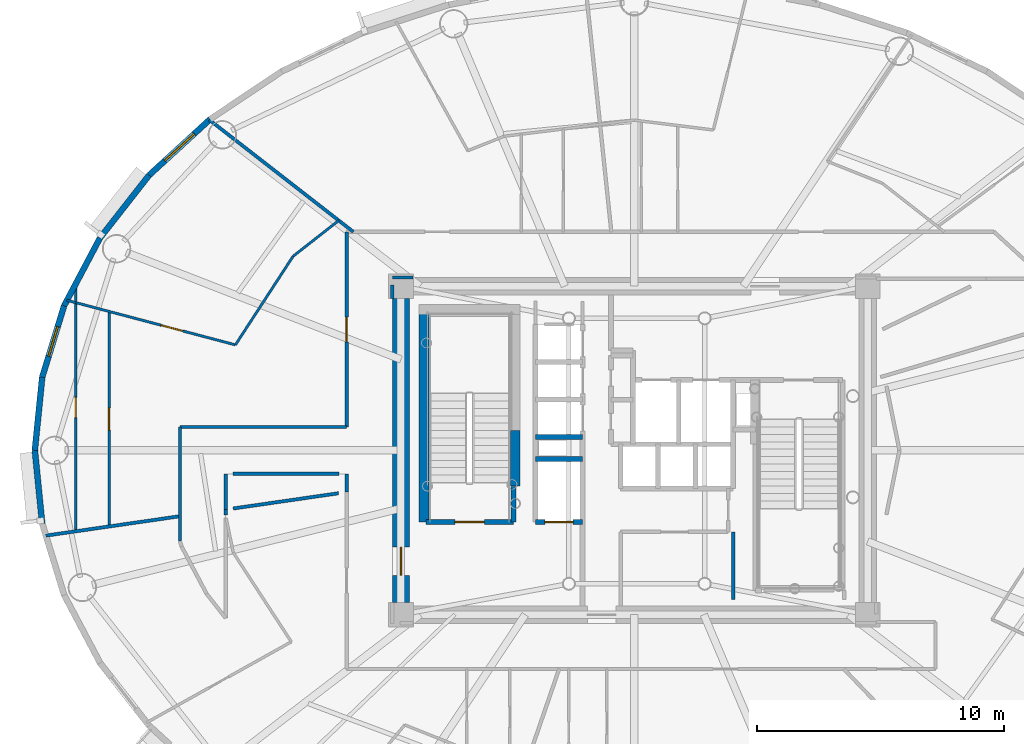
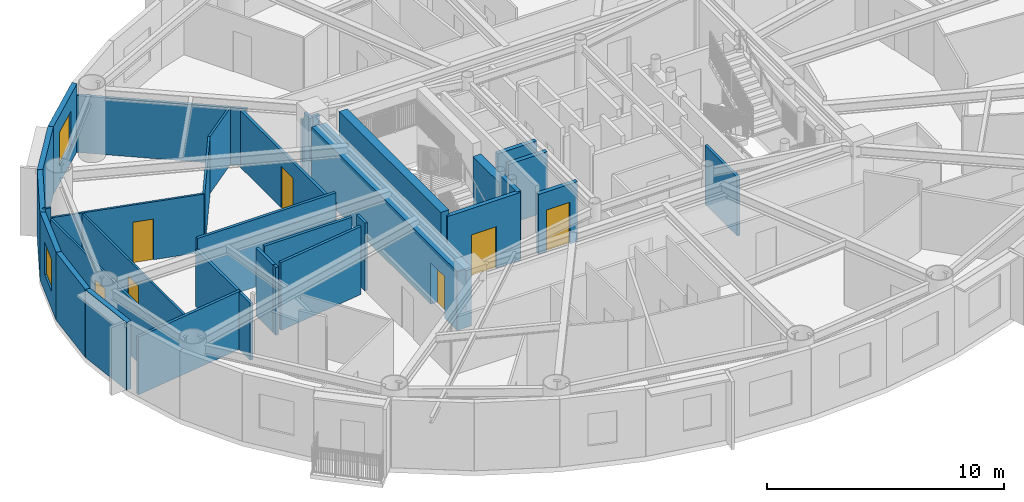
# One storey, part 7 of 18: 33 walls, 7 doors, 2 windows, 9 openings.
"""IFC4 building model written with IfcOpenShell, lengths in metres."""

from ifc_helpers import new_model, si_unit, direction, frame, frame_2d, origin, origin_2d, place, context, subcontext, project, spatial, rectangle, extrude, source, transform, mapped, material, layer, layer_set, type_object, element, fill, save


model = new_model("IFC4")

# Units and contexts
model_context = context("Model", 3, precision=1e-05, world=origin(), true_north=direction((0.0, 1.0)))
body_context = subcontext(model_context, "Body", "Model", "MODEL_VIEW")
ifc_project = project(units=[si_unit("LENGTHUNIT", "METRE"), si_unit("AREAUNIT", "SQUARE_METRE"), si_unit("VOLUMEUNIT", "CUBIC_METRE"), si_unit("PLANEANGLEUNIT", "RADIAN"), si_unit("MASSUNIT", "GRAM", prefix="KILO")], contexts=[model_context])

# Site, building, storey
site_placement = place(None, origin())
site = spatial("IfcSite", under=ifc_project, at=site_placement, CompositionType="ELEMENT")
building_placement = place(site_placement, origin())
building = spatial("IfcBuilding", under=site, at=building_placement, Name="Linh Dai School and Residence Tower", CompositionType="ELEMENT")
storey_placement = place(building_placement, frame((0.0, 0.0, 240.300048828125)))
storey = spatial("IfcBuildingStorey", under=building, at=storey_placement, Name="L59", CompositionType="ELEMENT", Elevation=240.300048828125)

# Wall, opening, window
ifc_material_1 = material(Name="Precast Concrete B45 (C35/45)", Category="concrete")
ifc_layer_1 = layer(ifc_material_1, 0.239990234375)
ifc_layer_set_1 = layer_set([ifc_layer_1], Name="Precast Concrete B45 (C35/45)")
wall_type_1 = type_object("IfcWallType", Name="EW-TC-240", PredefinedType="SOLIDWALL", material=ifc_layer_set_1)
wall_1_placement = place(storey_placement, frame((16.3515625, 38.14453125, 0.0), z_axis=(0.0, 0.0, 1.0), x_axis=(0.737123922599, 0.675757591694, 0.0)))
wall_1 = element("IfcWall", 1, at=wall_1_placement, inside=storey, type_object=wall_type_1, Name="L59 Terracotta Exterior Wall 16", PredefinedType="SOLIDWALL", context=body_context, shape_type="SweptSolid", body=[
    extrude(rectangle(XDim=3.353759765625, YDim=0.239990234375, at=frame_2d((1.6767578125, 0.0))), origin(), (0.0, 0.0, 1.0), 3.5),
])
opening_1_placement = place(wall_1_placement, frame((0.87255859375, 0.0, 0.89990234375)))
opening_1 = element("IfcOpeningElement", 2, at=opening_1_placement, cuts=wall_1, Name="Opening W2", PredefinedType="OPENING", context=body_context, shape_type="SweptSolid", body=[
    extrude(rectangle(XDim=1.60009765625, YDim=1.75, at=origin_2d()), frame((0.800048828125, 0.1298828125, 0.875), z_axis=(0.0, -1.0, 0.0), x_axis=(1.0, 0.0, 0.0)), (0.0, 0.0, 1.0), 0.260009765625),
])
ifc_material_2 = material(Name="Double Low-E Insulated Glazing", Category="glass")
window_type_1 = type_object("IfcWindowType", Name="WN-RES-1600x1750", PartitioningType="DOUBLE_PANEL_VERTICAL", PredefinedType="WINDOW", material=ifc_material_2)
shared_shape_1 = source(origin(), body_context, "Body", "SweptSolid", [
    extrude(rectangle(XDim=1.60009765625, YDim=1.75, at=origin_2d()), frame((0.800048828125, 0.030029296875, 0.875), z_axis=(0.0, -1.0, 0.0), x_axis=(1.0, 0.0, 0.0)), (0.0, 0.0, 1.0), 0.06005859375),
])
window_1_placement = place(opening_1_placement, origin())
window_1 = element("IfcWindow", 3, at=window_1_placement, inside=storey, type_object=window_type_1, Name="L59 Exterior Window 16.1", OverallHeight=1.75, OverallWidth=1.60009765625, PartitioningType="DOUBLE_PANEL_VERTICAL", PredefinedType="WINDOW", context=body_context, shape_type="MappedRepresentation", body=[
    mapped(shared_shape_1, transform((0.0, 0.0, 0.0), x_axis=(1.0, 0.0, 0.0), y_axis=(0.0, 1.0, 0.0), z_axis=(0.0, 0.0, 1.0), scale=1.0)),
])
fill(opening_1, window_1)

# Walls
wall_2_placement = place(storey_placement, frame((14.3642578125, 35.605224609375, 0.0), z_axis=(0.0, 0.0, 1.0), x_axis=(0.616312344705, 0.787501805562, 0.0)))
element("IfcWall", 4, at=wall_2_placement, inside=storey, type_object=wall_type_1, Name="L59 Terracotta Exterior Wall 17", PredefinedType="SOLIDWALL", context=body_context, shape_type="SweptSolid", body=[
    extrude(rectangle(XDim=3.224609375, YDim=0.239990234375, at=frame_2d((1.6123046875, 0.0))), origin(), (0.0, 0.0, 1.0), 3.5),
])
wall_3_placement = place(storey_placement, frame((12.90966796875, 32.85595703125, 0.0), z_axis=(0.0, 0.0, 1.0), x_axis=(0.46766049993, 0.883908172157, 0.0)))
element("IfcWall", 5, at=wall_3_placement, inside=storey, type_object=wall_type_1, Name="L59 Terracotta Exterior Wall 18", PredefinedType="SOLIDWALL", context=body_context, shape_type="SweptSolid", body=[
    extrude(rectangle(XDim=3.1103515625, YDim=0.239990234375, at=frame_2d((1.55517578125, 0.0))), origin(), (0.0, 0.0, 1.0), 3.5),
])

# Wall, opening, window
wall_4_placement = place(storey_placement, frame((12.02294921875, 29.9638671875, 0.0), z_axis=(0.0, 0.0, 1.0), x_axis=(0.293132907334, 0.95607170162, 0.0)))
wall_4 = element("IfcWall", 6, at=wall_4_placement, inside=storey, type_object=wall_type_1, Name="L59 Terracotta Exterior Wall 19", PredefinedType="SOLIDWALL", context=body_context, shape_type="SweptSolid", body=[
    extrude(rectangle(XDim=3.02490234375, YDim=0.239990234375, at=frame_2d((1.512451171875, 0.0))), origin(), (0.0, 0.0, 1.0), 3.5),
])
opening_2_placement = place(wall_4_placement, frame((0.887451171875, 0.0, 0.89990234375)))
opening_2 = element("IfcOpeningElement", 7, at=opening_2_placement, cuts=wall_4, Name="Opening W3", PredefinedType="OPENING", context=body_context, shape_type="SweptSolid", body=[
    extrude(rectangle(XDim=1.25, YDim=1.64990234375, at=origin_2d()), frame((0.625, 0.1298828125, 0.824951171875), z_axis=(0.0, -1.0, 0.0), x_axis=(1.0, 0.0, 0.0)), (0.0, 0.0, 1.0), 0.260009765625),
])
window_type_2 = type_object("IfcWindowType", Name="WN-RES-1250x1650", PartitioningType="SINGLE_PANEL", PredefinedType="WINDOW", material=ifc_material_2)
shared_shape_2 = source(origin(), body_context, "Body", "SweptSolid", [
    extrude(rectangle(XDim=1.25, YDim=1.64990234375, at=origin_2d()), frame((0.625, 0.030029296875, 0.824951171875), z_axis=(0.0, -1.0, 0.0), x_axis=(1.0, 0.0, 0.0)), (0.0, 0.0, 1.0), 0.06005859375),
])
window_2_placement = place(opening_2_placement, origin())
window_2 = element("IfcWindow", 8, at=window_2_placement, inside=storey, type_object=window_type_2, Name="L59 Exterior Window 19.1", OverallHeight=1.64990234375, OverallWidth=1.25, PartitioningType="SINGLE_PANEL", PredefinedType="WINDOW", context=body_context, shape_type="MappedRepresentation", body=[
    mapped(shared_shape_2, transform((0.0, 0.0, 0.0), x_axis=(1.0, 0.0, 0.0), y_axis=(0.0, 1.0, 0.0), z_axis=(0.0, 0.0, 1.0), scale=1.0)),
])
fill(opening_2, window_2)

# Walls
for number, where, z_axis, x_axis, name in (
    (9, (11.72509765625, 27.0, 0.0), (0.0, 0.0, 1.0), (0.099990595253, 0.994988382274, 0.0), "L59 Terracotta Exterior Wall 20"),
    (10, (12.02294921875, 24.0361328125, 0.0), (0.0, 0.0, 1.0), (-0.099990595253, 0.994988382274, 0.0), "L59 Terracotta Exterior Wall 21"),
):
    element("IfcWall", number, at=place(storey_placement, frame(where, z_axis=z_axis, x_axis=x_axis)), inside=storey, type_object=wall_type_1, Name=name, PredefinedType="SOLIDWALL", context=body_context, shape_type="SweptSolid", body=[
        extrude(rectangle(XDim=2.978759765625, YDim=0.239990234375, at=frame_2d((1.4892578125, 0.0))), origin(), (0.0, 0.0, 1.0), 3.5),
    ])
ifc_material_3 = material(Name="Autoclaved Aerated Concrete Blockwork", Category="masonry")
ifc_layer_2 = layer(ifc_material_3, 0.135009765625)
ifc_layer_set_2 = layer_set([ifc_layer_2], Name="Autoclaved Aerated Concrete Blockwork")
wall_type_2 = type_object("IfcWallType", Name="IW-CORR-135-EI90", PredefinedType="PARTITIONING", material=ifc_layer_set_2)
wall_5_placement = place(storey_placement, frame((12.16748046875, 23.5478515625, 0.0), z_axis=(0.0, 0.0, 1.0), x_axis=(0.989672764262, 0.143345106921, 0.0)))
element("IfcWall", 11, at=wall_5_placement, inside=storey, type_object=wall_type_2, Name="L59 Interior Partition Wall 001", PredefinedType="PARTITIONING", context=body_context, shape_type="SweptSolid", body=[
    extrude(rectangle(XDim=5.4892578125, YDim=0.135009765625, at=frame_2d((2.74462890625, 0.0))), origin(), (0.0, 0.0, 1.0), 2.98486328125),
])
wall_6_placement = place(storey_placement, frame((17.60009765625, 23.327880859375, 0.0), z_axis=(0.0, 0.0, 1.0), x_axis=(0.0, 1.0, 0.0)))
element("IfcWall", 12, at=wall_6_placement, inside=storey, type_object=wall_type_2, Name="L59 Interior Partition Wall 007", PredefinedType="PARTITIONING", context=body_context, shape_type="SweptSolid", body=[
    extrude(rectangle(XDim=4.6220703125, YDim=0.135009765625, at=frame_2d((2.31103515625, 0.0))), origin(), (0.0, 0.0, 1.0), 2.93505859375),
])
wall_7_placement = place(storey_placement, frame((17.60009765625, 27.949951171875, 0.0), z_axis=(0.0, 0.0, 1.0), x_axis=(1.0, 0.0, 0.0)))
element("IfcWall", 13, at=wall_7_placement, inside=storey, type_object=wall_type_2, Name="L59 Interior Partition Wall 009", PredefinedType="PARTITIONING", context=body_context, shape_type="SweptSolid", body=[
    extrude(rectangle(XDim=6.75, YDim=0.135009765625, at=frame_2d((3.375, 0.0))), origin(), (0.0, 0.0, 1.0), 3.5),
])
wall_8_placement = place(storey_placement, frame((18.79052734375, 40.38720703125, 0.0), z_axis=(0.0, 0.0, 1.0), x_axis=(0.789302404173, -0.614004653701, 0.0)))
element("IfcWall", 14, at=wall_8_placement, inside=storey, type_object=wall_type_2, Name="L59 Interior Partition Wall 012", PredefinedType="PARTITIONING", context=body_context, shape_type="SweptSolid", body=[
    extrude(rectangle(XDim=7.389892578125, YDim=0.135009765625, at=frame_2d((3.69482421875, 0.0))), origin(), (0.0, 0.0, 1.0), 2.93505859375),
])
wall_9_placement = place(storey_placement, frame((19.449951171875, 24.3798828125, 0.0), z_axis=(0.0, 0.0, 1.0), x_axis=(0.0, 1.0, 0.0)))
element("IfcWall", 15, at=wall_9_placement, inside=storey, type_object=wall_type_2, Name="L59 Interior Partition Wall 014", PredefinedType="PARTITIONING", context=body_context, shape_type="SweptSolid", body=[
    extrude(rectangle(XDim=0.222900390625, YDim=0.135009765625, at=frame_2d((0.111328125, 0.0))), origin(), (0.0, 0.0, 1.0), 3.5),
])

# Wall, opening, door
wall_10_placement = place(storey_placement, frame((24.35009765625, 27.949951171875, 0.0), z_axis=(0.0, 0.0, 1.0), x_axis=(0.0, 1.0, 0.0)))
wall_10 = element("IfcWall", 16, at=wall_10_placement, inside=storey, type_object=wall_type_2, Name="L59 Interior Partition Wall 022", PredefinedType="PARTITIONING", context=body_context, shape_type="SweptSolid", body=[
    extrude(rectangle(XDim=7.900146484375, YDim=0.135009765625, at=frame_2d((3.9501953125, 0.0))), origin(), (0.0, 0.0, 1.0), 2.93505859375),
])
opening_3_placement = place(wall_10_placement, frame((3.449951171875, 0.0, 0.0)))
opening_3 = element("IfcOpeningElement", 17, at=opening_3_placement, cuts=wall_10, Name="Opening D03", PredefinedType="OPENING", context=body_context, shape_type="SweptSolid", body=[
    extrude(rectangle(XDim=1.0, YDim=2.14990234375, at=origin_2d()), frame((0.5, 0.07763671875, 1.074951171875), z_axis=(0.0, -1.0, 0.0), x_axis=(1.0, 0.0, 0.0)), (0.0, 0.0, 1.0), 0.155029296875),
])
ifc_material_4 = material(Name="Fire-Rated Solid Timber Entrance Door", Category="wood")
door_type_1 = type_object("IfcDoorType", Name="DR-FLAT-1000x2150-FD60S", OperationType="NOTDEFINED", PredefinedType="DOOR", material=ifc_material_4)
shared_shape_3 = source(origin(), body_context, "Body", "SweptSolid", [
    extrude(rectangle(XDim=1.0, YDim=2.14990234375, at=origin_2d()), frame((0.5, 0.02490234375, 1.074951171875), z_axis=(0.0, -1.0, 0.0), x_axis=(1.0, 0.0, 0.0)), (0.0, 0.0, 1.0), 0.050048828125),
])
door_1_placement = place(opening_3_placement, origin())
door_1 = element("IfcDoor", 18, at=door_1_placement, inside=storey, type_object=door_type_1, Name="L59 U5902 Apartment Entrance Door", OperationType="SINGLE_SWING_RIGHT", OverallHeight=2.14990234375, OverallWidth=1.0, PredefinedType="DOOR", context=body_context, shape_type="MappedRepresentation", body=[
    mapped(shared_shape_3, transform((0.0, 0.0, 0.0), x_axis=(1.0, 0.0, 0.0), y_axis=(0.0, 1.0, 0.0), z_axis=(0.0, 0.0, 1.0), scale=1.0)),
])
fill(opening_3, door_1)

# Walls
wall_11_placement = place(storey_placement, frame((40.0, 23.699951171875, 0.0), z_axis=(0.0, 0.0, 1.0), x_axis=(0.0, -1.0, 0.0)))
element("IfcWall", 19, at=wall_11_placement, inside=storey, type_object=wall_type_2, Name="L59 Interior Partition Wall 099", PredefinedType="PARTITIONING", context=body_context, shape_type="SweptSolid", body=[
    extrude(rectangle(XDim=2.739990234375, YDim=0.135009765625, at=frame_2d((1.3701171875, 0.0))), origin(), (0.0, 0.0, 1.0), 3.034912109375),
])
wall_12_placement = place(storey_placement, frame((19.449951171875, 26.050048828125, 0.0), z_axis=(0.0, 0.0, 1.0), x_axis=(0.0, -1.0, 0.0)))
element("IfcWall", 20, at=wall_12_placement, inside=storey, type_object=wall_type_2, Name="L59 Interior Partition Wall 103", PredefinedType="PARTITIONING", context=body_context, shape_type="SweptSolid", body=[
    extrude(rectangle(XDim=1.437255859375, YDim=0.135009765625, at=frame_2d((0.71875, 0.0))), origin(), (0.0, 0.0, 1.0), 3.5),
])
wall_13_placement = place(storey_placement, frame((27.0400390625, 34.0, 0.0), z_axis=(0.0, 0.0, 1.0), x_axis=(-1.0, 0.0, 0.0)))
element("IfcWall", 21, at=wall_13_placement, inside=storey, type_object=wall_type_2, Name="L59 Interior Partition Wall 106", PredefinedType="PARTITIONING", context=body_context, shape_type="SweptSolid", body=[
    extrude(rectangle(XDim=0.840087890625, YDim=0.135009765625, at=frame_2d((0.419921875, 0.0))), origin(), (0.0, 0.0, 1.0), 2.93505859375),
])
wall_14_placement = place(storey_placement, frame((26.199951171875, 33.6923828125, 0.0), z_axis=(0.0, 0.0, 1.0), x_axis=(0.0, -1.0, 0.0)))
element("IfcWall", 22, at=wall_14_placement, inside=storey, type_object=wall_type_2, Name="L59 Interior Partition Wall 107", PredefinedType="PARTITIONING", context=body_context, shape_type="SweptSolid", body=[
    extrude(rectangle(XDim=0.532470703125, YDim=0.135009765625, at=frame_2d((0.26611328125, 0.0))), origin(), (0.0, 0.0, 1.0), 3.5),
])
wall_15_placement = place(storey_placement, frame((24.35009765625, 25.322509765625, 0.0), z_axis=(0.0, 0.0, 1.0), x_axis=(0.0, 1.0, 0.0)))
element("IfcWall", 23, at=wall_15_placement, inside=storey, type_object=wall_type_2, Name="L59 Interior Partition Wall 111", PredefinedType="PARTITIONING", context=body_context, shape_type="SweptSolid", body=[
    extrude(rectangle(XDim=0.7275390625, YDim=0.135009765625, at=frame_2d((0.36376953125, 0.0))), origin(), (0.0, 0.0, 1.0), 3.5),
])
wall_16_placement = place(storey_placement, frame((24.04248046875, 26.050048828125, 0.0), z_axis=(0.0, 0.0, 1.0), x_axis=(-1.0, 0.0, 0.0)))
element("IfcWall", 24, at=wall_16_placement, inside=storey, type_object=wall_type_2, Name="L59 Interior Partition Wall 112", PredefinedType="PARTITIONING", context=body_context, shape_type="SweptSolid", body=[
    extrude(rectangle(XDim=4.284912109375, YDim=0.135009765625, at=frame_2d((2.142578125, 0.0))), origin(), (0.0, 0.0, 1.0), 3.5),
])
wall_17_placement = place(storey_placement, frame((19.757568359375, 24.647216796875, 0.0), z_axis=(0.0, 0.0, 1.0), x_axis=(0.989666541967, 0.143388059861, 0.0)))
element("IfcWall", 25, at=wall_17_placement, inside=storey, type_object=wall_type_2, Name="L59 Interior Partition Wall 113", PredefinedType="PARTITIONING", context=body_context, shape_type="SweptSolid", body=[
    extrude(rectangle(XDim=4.309326171875, YDim=0.135009765625, at=frame_2d((2.15478515625, 0.0))), origin(), (0.0, 0.0, 1.0), 3.5),
])

# Wall, opening, door
ifc_material_5 = material(Name="Concrete B45 (C35/45)", Category="concrete")
ifc_layer_3 = layer(ifc_material_5, 0.199951171875)
ifc_layer_set_3 = layer_set([ifc_layer_3], Name="Concrete B45 (C35/45)")
wall_type_3 = type_object("IfcWallType", Name="IW-SHAFT-200-EI120", PredefinedType="PARTITIONING", material=ifc_layer_set_3)
wall_18_placement = place(storey_placement, frame((27.56005859375, 24.10009765625, 0.0), z_axis=(0.0, 0.0, 1.0), x_axis=(1.0, 0.0, 0.0)))
wall_18 = element("IfcWall", 26, at=wall_18_placement, inside=storey, type_object=wall_type_3, Name="L59 Interior Partition Wall 026", PredefinedType="PARTITIONING", context=body_context, shape_type="SweptSolid", body=[
    extrude(rectangle(XDim=3.5400390625, YDim=0.199951171875, at=frame_2d((1.77001953125, 0.0))), origin(), (0.0, 0.0, 1.0), 3.5),
])
opening_4_placement = place(wall_18_placement, frame((1.169921875, 0.0, 0.0)))
opening_4 = element("IfcOpeningElement", 27, at=opening_4_placement, cuts=wall_18, Name="Opening D01", PredefinedType="OPENING", context=body_context, shape_type="SweptSolid", body=[
    extrude(rectangle(XDim=1.199951171875, YDim=2.14990234375, at=origin_2d()), frame((0.60009765625, 0.10986328125, 1.074951171875), z_axis=(0.0, -1.0, 0.0), x_axis=(1.0, 0.0, 0.0)), (0.0, 0.0, 1.0), 0.219970703125),
])
ifc_material_6 = material(Name="Fire-Rated Steel Door Leaf", Category="steel")
door_type_2 = type_object("IfcDoorType", Name="DR-STAIR-1200x2150-FD90S", OperationType="NOTDEFINED", PredefinedType="DOOR", material=ifc_material_6)
shared_shape_4 = source(origin(), body_context, "Body", "SweptSolid", [
    extrude(rectangle(XDim=1.199951171875, YDim=2.14990234375, at=origin_2d()), frame((0.60009765625, 0.02490234375, 1.074951171875), z_axis=(0.0, -1.0, 0.0), x_axis=(1.0, 0.0, 0.0)), (0.0, 0.0, 1.0), 0.050048828125),
])
door_2_placement = place(opening_4_placement, origin())
door_2 = element("IfcDoor", 28, at=door_2_placement, inside=storey, type_object=door_type_2, Name="L59 Core Smokeproof Exit Stair ST1 Door", OperationType="SINGLE_SWING_RIGHT", OverallHeight=2.14990234375, OverallWidth=1.199951171875, PredefinedType="DOOR", context=body_context, shape_type="MappedRepresentation", body=[
    mapped(shared_shape_4, transform((0.0, 0.0, 0.0), x_axis=(1.0, 0.0, 0.0), y_axis=(0.0, 1.0, 0.0), z_axis=(0.0, 0.0, 1.0), scale=1.0)),
])
fill(opening_4, door_2)

# Wall
wall_19_placement = place(storey_placement, frame((31.10009765625, 24.10009765625, 0.0), z_axis=(0.0, 0.0, 1.0), x_axis=(0.0, 1.0, 0.0)))
element("IfcWall", 29, at=wall_19_placement, inside=storey, type_object=wall_type_3, Name="L59 Interior Partition Wall 033", PredefinedType="PARTITIONING", context=body_context, shape_type="SweptSolid", body=[
    extrude(rectangle(XDim=1.43994140625, YDim=0.199951171875, at=frame_2d((0.719970703125, 0.0))), origin(), (0.0, 0.0, 1.0), 3.5),
])

# Wall, opening, door
wall_20_placement = place(storey_placement, frame((32.0, 24.10009765625, 0.0), z_axis=(0.0, 0.0, 1.0), x_axis=(1.0, 0.0, 0.0)))
wall_20 = element("IfcWall", 30, at=wall_20_placement, inside=storey, type_object=wall_type_3, Name="L59 Interior Partition Wall 036", PredefinedType="PARTITIONING", context=body_context, shape_type="SweptSolid", body=[
    extrude(rectangle(XDim=1.89990234375, YDim=0.199951171875, at=frame_2d((0.949951171875, 0.0))), origin(), (0.0, 0.0, 1.0), 3.0849609375),
])
opening_5_placement = place(wall_20_placement, frame((0.375, 0.0, 0.0)))
opening_5 = element("IfcOpeningElement", 31, at=opening_5_placement, cuts=wall_20, Name="Opening LD-FF2", PredefinedType="OPENING", context=body_context, shape_type="SweptSolid", body=[
    extrude(rectangle(XDim=1.14990234375, YDim=2.14990234375, at=origin_2d()), frame((0.574951171875, 0.10986328125, 1.074951171875), z_axis=(0.0, -1.0, 0.0), x_axis=(1.0, 0.0, 0.0)), (0.0, 0.0, 1.0), 0.219970703125),
])
ifc_material_7 = material(Name="Fire-Rated Stainless Steel Firefighting Lift Door", Category="steel")
door_type_3 = type_object("IfcDoorType", Name="DR-LD-FF-1150x2150-FD120", OperationType="DOUBLE_DOOR_SLIDING", PredefinedType="USERDEFINED", material=ifc_material_7)
shared_shape_5 = source(origin(), body_context, "Body", "SweptSolid", [
    extrude(rectangle(XDim=1.14990234375, YDim=2.14990234375, at=origin_2d()), frame((0.574951171875, 0.02490234375, 1.074951171875), z_axis=(0.0, -1.0, 0.0), x_axis=(1.0, 0.0, 0.0)), (0.0, 0.0, 1.0), 0.050048828125),
])
door_3_placement = place(opening_5_placement, origin())
door_3 = element("IfcDoor", 32, at=door_3_placement, inside=storey, type_object=door_type_3, Name="L59 Lift FF2 Sliding Landing Door", ObjectType="LANDING DOOR", OperationType="DOUBLE_DOOR_SLIDING", OverallHeight=2.14990234375, OverallWidth=1.14990234375, PredefinedType="USERDEFINED", context=body_context, shape_type="MappedRepresentation", body=[
    mapped(shared_shape_5, transform((0.0, 0.0, 0.0), x_axis=(1.0, 0.0, 0.0), y_axis=(0.0, 1.0, 0.0), z_axis=(0.0, 0.0, 1.0), scale=1.0)),
])
fill(opening_5, door_3)

# Walls
for number, where, z_axis, x_axis, name in (
    (33, (32.0, 26.64990234375, 0.0), (0.0, 0.0, 1.0), (1.0, 0.0, 0.0), "L59 Interior Partition Wall 037"),
    (34, (32.0, 27.550048828125, 0.0), (0.0, 0.0, 1.0), (1.0, 0.0, 0.0), "L59 Interior Partition Wall 038"),
):
    element("IfcWall", number, at=place(storey_placement, frame(where, z_axis=z_axis, x_axis=x_axis)), inside=storey, type_object=wall_type_3, Name=name, PredefinedType="PARTITIONING", context=body_context, shape_type="SweptSolid", body=[
        extrude(rectangle(XDim=1.89990234375, YDim=0.199951171875, at=frame_2d((0.949951171875, 0.0))), origin(), (0.0, 0.0, 1.0), 3.0849609375),
    ])
ifc_material_8 = material(Name="Gypsum Plasterboard Acoustic Stud Partition", Category="masonry")
ifc_layer_4 = layer(ifc_material_8, 0.10009765625)
ifc_layer_set_4 = layer_set([ifc_layer_4], Name="Gypsum Plasterboard Acoustic Stud Partition")
wall_type_4 = type_object("IfcWallType", Name="IW-UNIT-100", PredefinedType="PARTITIONING", material=ifc_layer_set_4)
wall_21_placement = place(storey_placement, frame((13.02197265625, 33.078857421875, 0.0), z_axis=(0.0, 0.0, 1.0), x_axis=(0.966904841433, -0.255137272097, 0.0)))
element("IfcWall", 35, at=wall_21_placement, inside=storey, type_object=wall_type_4, Name="L59 Interior Partition Wall 002", PredefinedType="PARTITIONING", context=body_context, shape_type="SweptSolid", body=[
    extrude(rectangle(XDim=0.373291015625, YDim=0.10009765625, at=frame_2d((0.1865234375, 0.0))), origin(), (0.0, 0.0, 1.0), 3.5),
])

# Wall, opening, door
wall_22_placement = place(storey_placement, frame((13.392333984375, 32.98095703125, 0.0), z_axis=(0.0, 0.0, 1.0), x_axis=(0.966739802164, -0.255761910595, 0.0)))
wall_22 = element("IfcWall", 36, at=wall_22_placement, inside=storey, type_object=wall_type_4, Name="L59 Interior Partition Wall 003", PredefinedType="PARTITIONING", context=body_context, shape_type="SweptSolid", body=[
    extrude(rectangle(XDim=6.67724609375, YDim=0.10009765625, at=frame_2d((3.338623046875, 0.0))), origin(), (0.0, 0.0, 1.0), 2.98486328125),
])
opening_6_placement = place(wall_22_placement, frame((3.561279296875, 0.0, 0.0)))
opening_6 = element("IfcOpeningElement", 37, at=opening_6_placement, cuts=wall_22, Name="Opening D05", PredefinedType="OPENING", context=body_context, shape_type="SweptSolid", body=[
    extrude(rectangle(XDim=0.89990234375, YDim=2.10009765625, at=origin_2d()), frame((0.449951171875, 0.06005859375, 1.050048828125), z_axis=(0.0, -1.0, 0.0), x_axis=(1.0, 0.0, 0.0)), (0.0, 0.0, 1.0), 0.1201171875),
])
ifc_material_9 = material(Name="Engineered Timber Internal Door", Category="wood")
door_type_4 = type_object("IfcDoorType", Name="DR-INT-900x2100", OperationType="NOTDEFINED", PredefinedType="DOOR", material=ifc_material_9)
shared_shape_6 = source(origin(), body_context, "Body", "SweptSolid", [
    extrude(rectangle(XDim=0.89990234375, YDim=2.10009765625, at=origin_2d()), frame((0.449951171875, 0.02490234375, 1.050048828125), z_axis=(0.0, -1.0, 0.0), x_axis=(1.0, 0.0, 0.0)), (0.0, 0.0, 1.0), 0.050048828125),
])
door_4_placement = place(opening_6_placement, origin())
door_4 = element("IfcDoor", 38, at=door_4_placement, inside=storey, type_object=door_type_4, Name="L59 Apartment U5902 Principal Bedroom 1 Door", OperationType="SINGLE_SWING_LEFT", OverallHeight=2.10009765625, OverallWidth=0.89990234375, PredefinedType="DOOR", context=body_context, shape_type="MappedRepresentation", body=[
    mapped(shared_shape_6, transform((0.0, 0.0, 0.0), x_axis=(1.0, 0.0, 0.0), y_axis=(0.0, 1.0, 0.0), z_axis=(0.0, 0.0, 1.0), scale=1.0)),
])
fill(opening_6, door_4)

wall_23_placement = place(storey_placement, frame((13.3828125, 23.723876953125, 0.0), z_axis=(0.0, 0.0, 1.0), x_axis=(0.0, 1.0, 0.0)))
wall_23 = element("IfcWall", 39, at=wall_23_placement, inside=storey, type_object=wall_type_4, Name="L59 Interior Partition Wall 004", PredefinedType="PARTITIONING", context=body_context, shape_type="SweptSolid", body=[
    extrude(rectangle(XDim=10.036865234375, YDim=0.10009765625, at=frame_2d((5.0185546875, 0.0))), origin(), (0.0, 0.0, 1.0), 2.93505859375),
])
opening_7_placement = place(wall_23_placement, frame((4.6083984375, 0.0, 0.0)))
opening_7 = element("IfcOpeningElement", 40, at=opening_7_placement, cuts=wall_23, Name="Opening D06", PredefinedType="OPENING", context=body_context, shape_type="SweptSolid", body=[
    extrude(rectangle(XDim=0.820068359375, YDim=2.10009765625, at=origin_2d()), frame((0.41015625, 0.06005859375, 1.050048828125), z_axis=(0.0, -1.0, 0.0), x_axis=(1.0, 0.0, 0.0)), (0.0, 0.0, 1.0), 0.1201171875),
])
ifc_material_10 = material(Name="Moisture-Resistant Timber Bathroom Door", Category="wood")
door_type_5 = type_object("IfcDoorType", Name="DR-WET-820x2100", OperationType="NOTDEFINED", PredefinedType="DOOR", material=ifc_material_10)
shared_shape_7 = source(origin(), body_context, "Body", "SweptSolid", [
    extrude(rectangle(XDim=0.820068359375, YDim=2.10009765625, at=origin_2d()), frame((0.41015625, 0.02490234375, 1.050048828125), z_axis=(0.0, -1.0, 0.0), x_axis=(1.0, 0.0, 0.0)), (0.0, 0.0, 1.0), 0.050048828125),
])
door_5_placement = place(opening_7_placement, origin())
door_5 = element("IfcDoor", 41, at=door_5_placement, inside=storey, type_object=door_type_5, Name="L59 Apartment U5902 Bathroom 1 Door", OperationType="SINGLE_SWING_LEFT", OverallHeight=2.10009765625, OverallWidth=0.820068359375, PredefinedType="DOOR", context=body_context, shape_type="MappedRepresentation", body=[
    mapped(shared_shape_7, transform((0.0, 0.0, 0.0), x_axis=(1.0, 0.0, 0.0), y_axis=(0.0, 1.0, 0.0), z_axis=(0.0, 0.0, 1.0), scale=1.0)),
])
fill(opening_7, door_5)

wall_24_placement = place(storey_placement, frame((14.731689453125, 23.919189453125, 0.0), z_axis=(0.0, 0.0, 1.0), x_axis=(0.0, 1.0, 0.0)))
wall_24 = element("IfcWall", 42, at=wall_24_placement, inside=storey, type_object=wall_type_4, Name="L59 Interior Partition Wall 005", PredefinedType="PARTITIONING", context=body_context, shape_type="SweptSolid", body=[
    extrude(rectangle(XDim=8.70751953125, YDim=0.10009765625, at=frame_2d((4.353759765625, 0.0))), origin(), (0.0, 0.0, 1.0), 2.93505859375),
])
opening_8_placement = place(wall_24_placement, frame((3.90380859375, 0.0, 0.0)))
opening_8 = element("IfcOpeningElement", 43, at=opening_8_placement, cuts=wall_24, Name="Opening D05", PredefinedType="OPENING", context=body_context, shape_type="SweptSolid", body=[
    extrude(rectangle(XDim=0.89990234375, YDim=2.10009765625, at=origin_2d()), frame((0.449951171875, 0.06005859375, 1.050048828125), z_axis=(0.0, -1.0, 0.0), x_axis=(1.0, 0.0, 0.0)), (0.0, 0.0, 1.0), 0.1201171875),
])
door_6_placement = place(opening_8_placement, origin())
door_6 = element("IfcDoor", 44, at=door_6_placement, inside=storey, type_object=door_type_4, Name="L59 Apartment U5902 Kitchen Door", OperationType="SINGLE_SWING_RIGHT", OverallHeight=2.10009765625, OverallWidth=0.89990234375, PredefinedType="DOOR", context=body_context, shape_type="MappedRepresentation", body=[
    mapped(shared_shape_6, transform((0.0, 0.0, 0.0), x_axis=(1.0, 0.0, 0.0), y_axis=(0.0, 1.0, 0.0), z_axis=(0.0, 0.0, 1.0), scale=1.0)),
])
fill(opening_8, door_6)

# Walls
wall_25_placement = place(storey_placement, frame((19.847412109375, 31.273193359375, 0.0), z_axis=(0.0, 0.0, 1.0), x_axis=(0.545399280946, 0.83817636828, 0.0)))
element("IfcWall", 45, at=wall_25_placement, inside=storey, type_object=wall_type_4, Name="L59 Interior Partition Wall 017", PredefinedType="PARTITIONING", context=body_context, shape_type="SweptSolid", body=[
    extrude(rectangle(XDim=4.2802734375, YDim=0.10009765625, at=frame_2d((2.14013671875, 0.0))), origin(), (0.0, 0.0, 1.0), 2.93505859375),
])
wall_26_placement = place(storey_placement, frame((22.181884765625, 34.86083984375, 0.0), z_axis=(0.0, 0.0, 1.0), x_axis=(0.78737344739, 0.616476320994, 0.0)))
element("IfcWall", 46, at=wall_26_placement, inside=storey, type_object=wall_type_4, Name="L59 Interior Partition Wall 018", PredefinedType="PARTITIONING", context=body_context, shape_type="SweptSolid", body=[
    extrude(rectangle(XDim=2.35009765625, YDim=0.10009765625, at=frame_2d((1.175048828125, 0.0))), origin(), (0.0, 0.0, 1.0), 2.93505859375),
])
ifc_layer_5 = layer(ifc_material_5, 0.39990234375)
ifc_layer_set_5 = layer_set([ifc_layer_5], Name="Concrete B45 (C35/45)")
wall_type_5 = type_object("IfcWallType", Name="WL-CORE400", PredefinedType="SHEAR", material=ifc_layer_set_5)
wall_27_placement = place(storey_placement, frame((27.47998046875, 24.10009765625, 0.0), z_axis=(0.0, 0.0, 1.0), x_axis=(0.0, 1.0, 0.0)))
element("IfcWall", 47, at=wall_27_placement, inside=storey, type_object=wall_type_5, Name="L59 Core Stair ST1 Bearing Wall W", PredefinedType="SHEAR", context=body_context, shape_type="SweptSolid", body=[
    extrude(rectangle(XDim=8.599853515625, YDim=0.39990234375, at=frame_2d((4.2998046875, 0.0))), origin(), (0.0, 0.0, 1.0), 3.75),
])
wall_28_placement = place(storey_placement, frame((31.179931640625, 25.550048828125, 0.0), z_axis=(0.0, 0.0, 1.0), x_axis=(0.0, 1.0, 0.0)))
element("IfcWall", 48, at=wall_28_placement, inside=storey, type_object=wall_type_5, Name="L59 Internal Core Shear Wall IW", PredefinedType="SHEAR", context=body_context, shape_type="SweptSolid", body=[
    extrude(rectangle(XDim=2.25, YDim=0.39990234375, at=frame_2d((1.125, 0.0))), origin(), (0.0, 0.0, 1.0), 3.099853515625),
])

# Wall, opening, door
ifc_layer_6 = layer(ifc_material_5, 0.699951171875)
ifc_layer_set_6 = layer_set([ifc_layer_6], Name="Concrete B45 (C35/45)")
wall_type_6 = type_object("IfcWallType", Name="WL-CORE700", PredefinedType="SHEAR", material=ifc_layer_set_6)
wall_29_placement = place(storey_placement, frame((26.550048828125, 20.85009765625, 0.0), z_axis=(0.0, 0.0, 1.0), x_axis=(0.0, 1.0, 0.0)))
wall_29 = element("IfcWall", 49, at=wall_29_placement, inside=storey, type_object=wall_type_6, Name="L59 Central Core Shear Wall W", PredefinedType="SHEAR", context=body_context, shape_type="SweptSolid", body=[
    extrude(rectangle(XDim=12.2998046875, YDim=0.699951171875, at=frame_2d((6.14990234375, 0.0))), origin(), (0.0, 0.0, 1.0), 3.050048828125),
])
opening_9_placement = place(wall_29_placement, frame((1.085205078125, 0.0, 0.0)))
opening_9 = element("IfcOpeningElement", 50, at=opening_9_placement, cuts=wall_29, Name="Opening D02", PredefinedType="OPENING", context=body_context, shape_type="SweptSolid", body=[
    extrude(rectangle(XDim=1.14990234375, YDim=2.14990234375, at=origin_2d()), frame((0.574951171875, 0.35986328125, 1.074951171875), z_axis=(0.0, -1.0, 0.0), x_axis=(1.0, 0.0, 0.0)), (0.0, 0.0, 1.0), 0.719970703125),
])
ifc_material_11 = material(Name="Fire-Rated Glazed Steel Lobby Door", Category="steel")
door_type_6 = type_object("IfcDoorType", Name="DR-LOBBY-1150x2150-FD90S", OperationType="NOTDEFINED", PredefinedType="DOOR", material=ifc_material_11)
shared_shape_8 = source(origin(), body_context, "Body", "SweptSolid", [
    extrude(rectangle(XDim=1.14990234375, YDim=2.14990234375, at=origin_2d()), frame((0.574951171875, 0.02490234375, 1.074951171875), z_axis=(0.0, -1.0, 0.0), x_axis=(1.0, 0.0, 0.0)), (0.0, 0.0, 1.0), 0.050048828125),
])
door_7_placement = place(opening_9_placement, origin())
door_7 = element("IfcDoor", 51, at=door_7_placement, inside=storey, type_object=door_type_6, Name="L59 Firefighting Lobby Door", OperationType="SINGLE_SWING_LEFT", OverallHeight=2.14990234375, OverallWidth=1.14990234375, PredefinedType="DOOR", context=body_context, shape_type="MappedRepresentation", body=[
    mapped(shared_shape_8, transform((0.0, 0.0, 0.0), x_axis=(1.0, 0.0, 0.0), y_axis=(0.0, 1.0, 0.0), z_axis=(0.0, 0.0, 1.0), scale=1.0)),
])
fill(opening_9, door_7)

save(model, "model.ifc")
